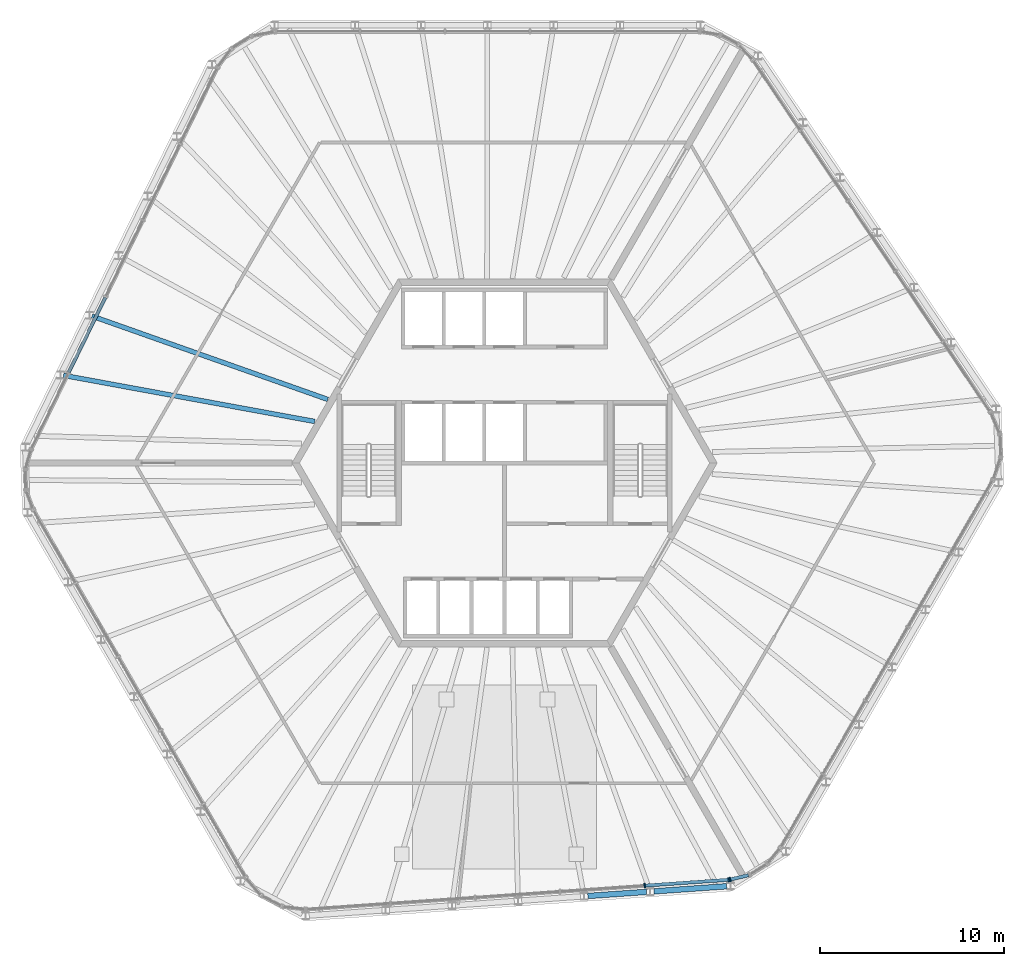
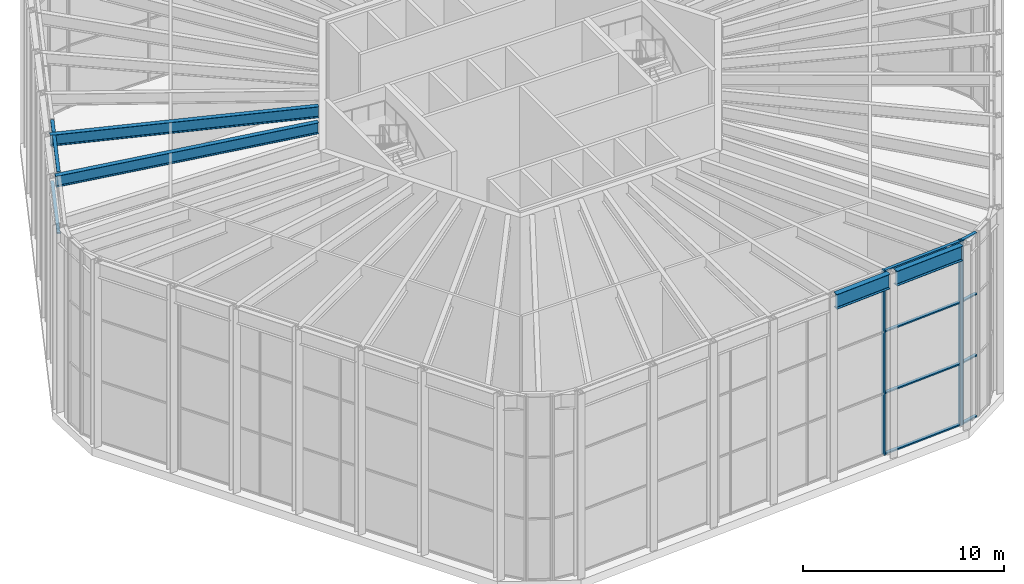
# One storey, part 4 of 17: 13 members, 4 beams, 3 elements without a shape of their own.
"""IFC4 building model written with IfcOpenShell, lengths in metres."""

from ifc_helpers import new_model, si_unit, direction, frame, origin, origin_2d, place, context, subcontext, project, spatial, rectangle, i_section, extrude, material, material_profile, profile_set, type_object, element, aggregate, save


model = new_model("IFC4")

# Units and contexts
model_context = context("Model", 3, precision=1e-05, world=origin(), true_north=direction((0.0, 1.0)))
body_context = subcontext(model_context, "Body", "Model", "MODEL_VIEW")
ifc_project = project(units=[si_unit("LENGTHUNIT", "METRE"), si_unit("AREAUNIT", "SQUARE_METRE"), si_unit("VOLUMEUNIT", "CUBIC_METRE"), si_unit("PLANEANGLEUNIT", "RADIAN"), si_unit("MASSUNIT", "GRAM", prefix="KILO")], contexts=[model_context])

# Site, building, storey
site_placement = place(None, origin())
site = spatial("IfcSite", under=ifc_project, at=site_placement, CompositionType="ELEMENT")
building_placement = place(site_placement, origin())
building = spatial("IfcBuilding", under=site, at=building_placement, Name="Tarnside Tower", CompositionType="ELEMENT")
storey_placement = place(building_placement, frame((0.0, 0.0, 376.800048828125)))
storey = spatial("IfcBuildingStorey", under=building, at=storey_placement, Name="L91", CompositionType="ELEMENT", Elevation=376.800048828125)

# Curtain wall, member
ifc_material_1 = material(Name="Damper hall glazing wall", Category="glass")
curtain_wall_type = type_object("IfcCurtainWallType", Name="Damper hall glazing wall", PredefinedType="NOTDEFINED", material=ifc_material_1)
curtain_wall_1_placement = place(storey_placement, origin())
curtain_wall_1 = element("IfcCurtainWall", 1, at=curtain_wall_1_placement, inside=storey, type_object=curtain_wall_type, Name="Damper hall glazing L91 11", PredefinedType="NOTDEFINED")
ifc_material_2 = material(Name="Aluminium alloy 6063", Category="aluminium")
ifc_material_profile_1 = material_profile(ifc_material_2, rectangle(XDim=0.239990234375, YDim=0.080078125, at=origin_2d()), Name="Damper hall glazing mullion 80 x 240")
ifc_profile_set_1 = profile_set([ifc_material_profile_1], Name="Aluminium alloy 6063")
member_type_1 = type_object("IfcMemberType", Name="Damper hall glazing mullion 80 x 240", PredefinedType="MULLION", material=ifc_profile_set_1)
member_1_placement = place(storey_placement, frame((12.25341796875, -22.623779296875, 0.0), z_axis=(0.0, 0.0, 1.0), x_axis=(0.230615870839, -0.973044870557, 0.0)))
member_1 = element("IfcMember", 2, at=member_1_placement, type_object=member_type_1, Name="CW5 mullion 2", PredefinedType="MULLION", context=body_context, shape_type="SweptSolid", body=[
    extrude(rectangle(XDim=0.239990234375, YDim=0.080078125, at=origin_2d()), origin(), (0.0, 0.0, 1.0), 11.199951171875),
])

# Curtain wall, members
curtain_wall_2_placement = place(storey_placement, origin())
curtain_wall_2 = element("IfcCurtainWall", 3, at=curtain_wall_2_placement, inside=storey, type_object=curtain_wall_type, Name="Damper hall glazing L91 12", PredefinedType="NOTDEFINED")
member_2_placement = place(storey_placement, frame((12.174560546875, -22.635986328125, 0.0), z_axis=(0.0, 0.0, 1.0), x_axis=(0.069756473744, -0.99756405026, 0.0)))
member_2 = element("IfcMember", 4, at=member_2_placement, type_object=member_type_1, Name="CW5 mullion 1", PredefinedType="MULLION", context=body_context, shape_type="SweptSolid", body=[
    extrude(rectangle(XDim=0.239990234375, YDim=0.080078125, at=origin_2d()), origin(), (0.0, 0.0, 1.0), 11.199951171875),
])
member_3_placement = place(storey_placement, frame((7.611572265625, -22.955078125, 0.0), z_axis=(0.0, 0.0, 1.0), x_axis=(0.069756473744, -0.99756405026, 0.0)))
member_3 = element("IfcMember", 5, at=member_3_placement, type_object=member_type_1, Name="CW5 mullion 2", PredefinedType="MULLION", context=body_context, shape_type="SweptSolid", body=[
    extrude(rectangle(XDim=0.239990234375, YDim=0.080078125, at=origin_2d()), origin(), (0.0, 0.0, 1.0), 11.199951171875),
])

# Member
ifc_material_profile_2 = material_profile(ifc_material_2, rectangle(XDim=0.179931640625, YDim=0.080078125, at=origin_2d()), Name="Damper hall glazing transom 80 x 180")
ifc_profile_set_2 = profile_set([ifc_material_profile_2], Name="Aluminium alloy 6063")
member_type_2 = type_object("IfcMemberType", Name="Damper hall glazing transom 80 x 180", PredefinedType="USERDEFINED", material=ifc_profile_set_2)
member_4_placement = place(storey_placement, frame((13.24560546875, -22.388671875, 0.0400390625), z_axis=(-0.97300374812, -0.230789311158, 0.0), x_axis=(0.230789311158, -0.97300374812, 0.0)))
member_4 = element("IfcMember", 6, at=member_4_placement, type_object=member_type_2, Name="CW5 transom 1.1", ObjectType="TRANSOM", PredefinedType="USERDEFINED", context=body_context, shape_type="SweptSolid", body=[
    extrude(rectangle(XDim=0.179931640625, YDim=0.080078125, at=origin_2d()), origin(), (0.0, 0.0, 1.0), 0.9794921875),
])

member_5_placement = place(storey_placement, frame((13.24560546875, -22.388671875, 3.733154296875), z_axis=(-0.97300374812, -0.230789311158, 0.0), x_axis=(0.230789311158, -0.97300374812, 0.0)))
member_5 = element("IfcMember", 7, at=member_5_placement, type_object=member_type_2, Name="CW5 transom 1.2", ObjectType="TRANSOM", PredefinedType="USERDEFINED", context=body_context, shape_type="SweptSolid", body=[
    extrude(rectangle(XDim=0.179931640625, YDim=0.080078125, at=origin_2d()), origin(), (0.0, 0.0, 1.0), 0.9794921875),
])

member_6_placement = place(storey_placement, frame((13.24560546875, -22.388671875, 7.466552734375), z_axis=(-0.97300374812, -0.230789311158, 0.0), x_axis=(0.230789311158, -0.97300374812, 0.0)))
member_6 = element("IfcMember", 8, at=member_6_placement, type_object=member_type_2, Name="CW5 transom 1.3", ObjectType="TRANSOM", PredefinedType="USERDEFINED", context=body_context, shape_type="SweptSolid", body=[
    extrude(rectangle(XDim=0.179931640625, YDim=0.080078125, at=origin_2d()), origin(), (0.0, 0.0, 1.0), 0.9794921875),
])

member_7_placement = place(storey_placement, frame((13.24560546875, -22.388671875, 11.159912109375), z_axis=(-0.97300374812, -0.230789311158, 0.0), x_axis=(0.230789311158, -0.97300374812, 0.0)))
member_7 = element("IfcMember", 9, at=member_7_placement, type_object=member_type_2, Name="CW5 transom 1.4", ObjectType="TRANSOM", PredefinedType="USERDEFINED", context=body_context, shape_type="SweptSolid", body=[
    extrude(rectangle(XDim=0.179931640625, YDim=0.080078125, at=origin_2d()), origin(), (0.0, 0.0, 1.0), 0.9794921875),
])

aggregate(curtain_wall_1, [member_1, member_4, member_5, member_6, member_7])

member_8_placement = place(storey_placement, frame((12.134765625, -22.638671875, 0.0400390625), z_axis=(-0.997564564225, -0.06974912331, 0.0), x_axis=(0.06974912331, -0.997564564225, 0.0)))
member_8 = element("IfcMember", 10, at=member_8_placement, type_object=member_type_2, Name="CW5 transom 1.1", ObjectType="TRANSOM", PredefinedType="USERDEFINED", context=body_context, shape_type="SweptSolid", body=[
    extrude(rectangle(XDim=0.179931640625, YDim=0.080078125, at=origin_2d()), origin(), (0.0, 0.0, 1.0), 4.494384765625),
])

member_9_placement = place(storey_placement, frame((12.134765625, -22.638671875, 3.733154296875), z_axis=(-0.997564564225, -0.06974912331, 0.0), x_axis=(0.06974912331, -0.997564564225, 0.0)))
member_9 = element("IfcMember", 11, at=member_9_placement, type_object=member_type_2, Name="CW5 transom 1.2", ObjectType="TRANSOM", PredefinedType="USERDEFINED", context=body_context, shape_type="SweptSolid", body=[
    extrude(rectangle(XDim=0.179931640625, YDim=0.080078125, at=origin_2d()), origin(), (0.0, 0.0, 1.0), 4.494384765625),
])

member_10_placement = place(storey_placement, frame((12.134765625, -22.638671875, 7.466552734375), z_axis=(-0.997564564225, -0.06974912331, 0.0), x_axis=(0.06974912331, -0.997564564225, 0.0)))
member_10 = element("IfcMember", 12, at=member_10_placement, type_object=member_type_2, Name="CW5 transom 1.3", ObjectType="TRANSOM", PredefinedType="USERDEFINED", context=body_context, shape_type="SweptSolid", body=[
    extrude(rectangle(XDim=0.179931640625, YDim=0.080078125, at=origin_2d()), origin(), (0.0, 0.0, 1.0), 4.494384765625),
])

member_11_placement = place(storey_placement, frame((12.134765625, -22.638671875, 11.159912109375), z_axis=(-0.997564564225, -0.06974912331, 0.0), x_axis=(0.06974912331, -0.997564564225, 0.0)))
member_11 = element("IfcMember", 13, at=member_11_placement, type_object=member_type_2, Name="CW5 transom 1.4", ObjectType="TRANSOM", PredefinedType="USERDEFINED", context=body_context, shape_type="SweptSolid", body=[
    extrude(rectangle(XDim=0.179931640625, YDim=0.080078125, at=origin_2d()), origin(), (0.0, 0.0, 1.0), 4.494384765625),
])

aggregate(curtain_wall_2, [member_2, member_3, member_8, member_9, member_10, member_11])

# Curtain wall, members
curtain_wall_3_placement = place(storey_placement, origin())
curtain_wall_3 = element("IfcCurtainWall", 14, at=curtain_wall_3_placement, inside=storey, type_object=curtain_wall_type, Name="Damper hall glazing L91 20", PredefinedType="NOTDEFINED")
member_12_placement = place(storey_placement, frame((-23.667724609375, 4.921630859375, 7.466552734375), z_axis=(0.438339824708, 0.898809322423, 0.0), x_axis=(-0.898809322423, 0.438339824708, 0.0)))
member_12 = element("IfcMember", 15, at=member_12_placement, type_object=member_type_2, Name="CW5 transom 2.3", ObjectType="TRANSOM", PredefinedType="USERDEFINED", context=body_context, shape_type="SweptSolid", body=[
    extrude(rectangle(XDim=0.179931640625, YDim=0.080078125, at=origin_2d()), origin(), (0.0, 0.0, 1.0), 4.5341796875),
])
member_13_placement = place(storey_placement, frame((-23.667724609375, 4.921630859375, 11.159912109375), z_axis=(0.438339824708, 0.898809322423, 0.0), x_axis=(-0.898809322423, 0.438339824708, 0.0)))
member_13 = element("IfcMember", 16, at=member_13_placement, type_object=member_type_2, Name="CW5 transom 2.4", ObjectType="TRANSOM", PredefinedType="USERDEFINED", context=body_context, shape_type="SweptSolid", body=[
    extrude(rectangle(XDim=0.179931640625, YDim=0.080078125, at=origin_2d()), origin(), (0.0, 0.0, 1.0), 4.5341796875),
])
aggregate(curtain_wall_3, [member_12, member_13])

# Beams
ifc_material_3 = material(Name="Steel S355", Category="steel")
ifc_material_profile_3 = material_profile(ifc_material_3, i_section(OverallWidth=0.2529296875, OverallDepth=0.677978515625, WebThickness=0.01171875, FlangeThickness=0.01611328125, FilletRadius=0.01513671875, at=origin_2d()), Name="UB 686x254x125")
ifc_profile_set_3 = profile_set([ifc_material_profile_3], Name="Steel S355")
beam_type_1 = type_object("IfcBeamType", Name="Floor beam UB 686x254x125", PredefinedType="BEAM", material=ifc_profile_set_3)
beam_1_placement = place(storey_placement, frame((-22.40576171875, 7.97705078125, 10.861083984375), z_axis=(0.942840573103, -0.3332441353, 0.0), x_axis=(0.3332441353, 0.942840573103, 0.0)))
element("IfcBeam", 17, at=beam_1_placement, inside=storey, type_object=beam_type_1, Name="Floor beam F2.05", PredefinedType="BEAM", context=body_context, shape_type="SweptSolid", body=[
    extrude(i_section(OverallWidth=0.2529296875, OverallDepth=0.677978515625, WebThickness=0.01171875, FlangeThickness=0.01611328125, FilletRadius=0.01513671875, at=origin_2d()), origin(), (0.0, 0.0, 1.0), 13.58203125),
])
beam_2_placement = place(storey_placement, frame((-23.954833984375, 4.758544921875, 10.861083984375), z_axis=(0.983581991726, -0.180461811894, 0.0), x_axis=(0.180461811894, 0.983581991726, 0.0)))
element("IfcBeam", 18, at=beam_2_placement, inside=storey, type_object=beam_type_1, Name="Floor beam F2.06", PredefinedType="BEAM", context=body_context, shape_type="SweptSolid", body=[
    extrude(i_section(OverallWidth=0.2529296875, OverallDepth=0.677978515625, WebThickness=0.01171875, FlangeThickness=0.01611328125, FilletRadius=0.01513671875, at=origin_2d()), origin(), (0.0, 0.0, 1.0), 13.872314453125),
])
ifc_material_profile_4 = material_profile(ifc_material_3, i_section(OverallWidth=0.30322265625, OverallDepth=0.903076171875, WebThickness=0.01513671875, FlangeThickness=0.020263671875, FilletRadius=0.01904296875, at=origin_2d()), Name="UB 914x305x201")
ifc_profile_set_4 = profile_set([ifc_material_profile_4], Name="Steel S355")
beam_type_2 = type_object("IfcBeamType", Name="Perimeter girder UB 914x305x201", PredefinedType="BEAM", material=ifc_profile_set_4)
beam_3_placement = place(storey_placement, frame((4.521484375, -23.516845703125, 10.74853515625), z_axis=(0.997566461939, 0.069721976556, 0.0), x_axis=(-0.069721976556, 0.997566461939, 0.0)))
element("IfcBeam", 19, at=beam_3_placement, inside=storey, type_object=beam_type_2, Name="Perimeter girder R26", PredefinedType="BEAM", context=body_context, shape_type="SweptSolid", body=[
    extrude(i_section(OverallWidth=0.30322265625, OverallDepth=0.903076171875, WebThickness=0.01513671875, FlangeThickness=0.020263671875, FilletRadius=0.01904296875, at=origin_2d()), origin(), (0.0, 0.0, 1.0), 3.197021484375),
])
beam_4_placement = place(storey_placement, frame((8.112548828125, -23.265869140625, 10.74853515625), z_axis=(0.997560855059, 0.069802152222, 0.0), x_axis=(-0.069802152222, 0.997560855059, 0.0)))
element("IfcBeam", 20, at=beam_4_placement, inside=storey, type_object=beam_type_2, Name="Perimeter girder R27", PredefinedType="BEAM", context=body_context, shape_type="SweptSolid", body=[
    extrude(i_section(OverallWidth=0.30322265625, OverallDepth=0.903076171875, WebThickness=0.01513671875, FlangeThickness=0.020263671875, FilletRadius=0.01904296875, at=origin_2d()), origin(), (0.0, 0.0, 1.0), 3.962890625),
])

save(model, "model.ifc")
